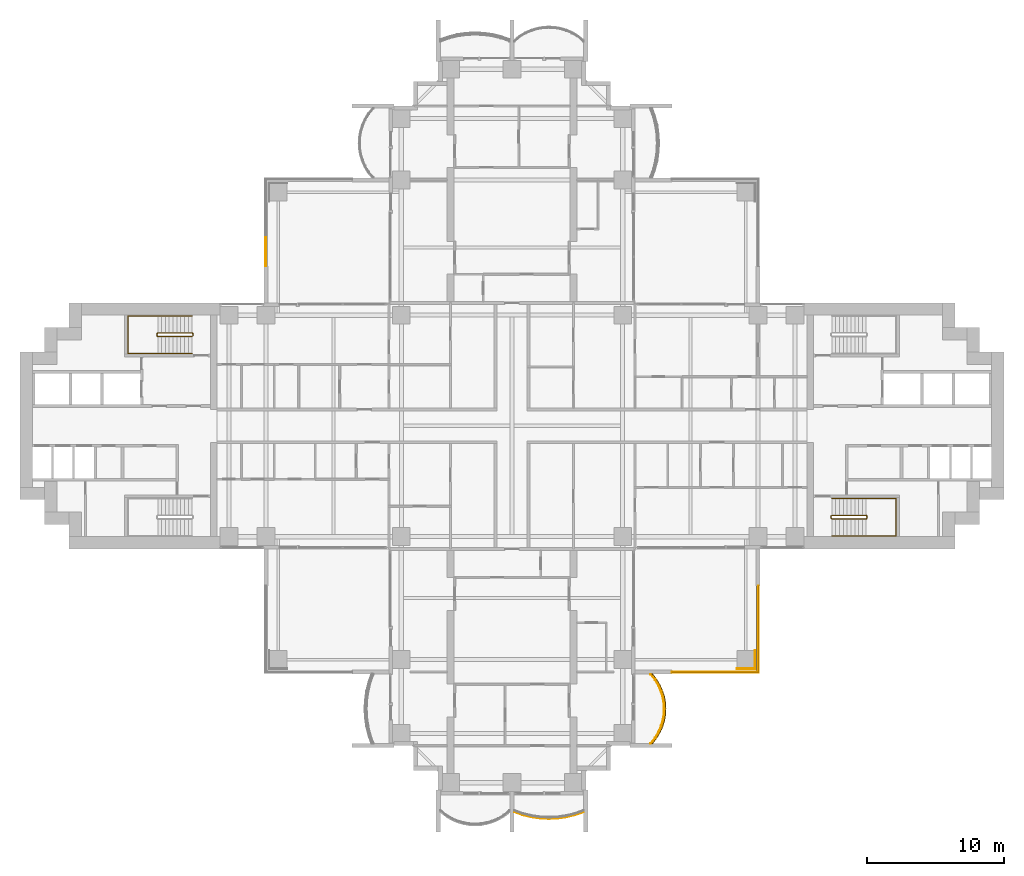
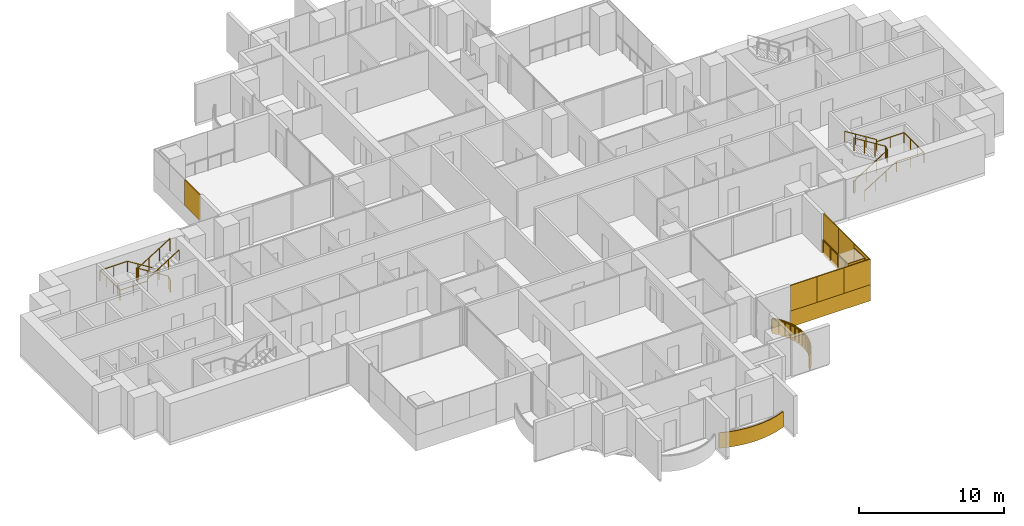
# One storey, part 18 of 20: 12 coverings, 6 railings.
"""IFC4 building model written with IfcOpenShell, lengths in metres."""

import ifcopenshell
import ifcopenshell.guid

model = None  # the IFC model being written
_history = None  # IfcOwnerHistory: only IFC2X3 demands one
_inside = {}  # id of a spatial element -> (the spatial element, [elements in it])
_under = {}  # id of a project, library or spatial element -> (it, [spatial elements below it])
_declared = {}  # id of a project -> (the project, [libraries it declares])
_typed = {}  # id of a type object -> (the type object, [elements of that type])
_made_of = {}  # id of a material, layer set ... -> (it, [elements and type objects made of it])


def new_model(schema):
    """Start an empty IFC model of exactly this schema.

    Asked for "IFC4X3", IfcOpenShell would pick the latest addendum, in which some entities
    have other attributes; the version numbers below select the first issue.
    IFC2X3 requires an IfcOwnerHistory on every rooted entity: one is made here for all.
    """
    global model, _history
    if schema == "IFC4X3":
        model = ifcopenshell.file(schema_version=(4, 3, 0, 0))
    else:
        model = ifcopenshell.file(schema=schema)
    _inside.clear()
    _under.clear()
    _declared.clear()
    _typed.clear()
    _made_of.clear()
    _history = None
    if model.schema == "IFC2X3":
        org = make("IfcOrganization", Name="unknown")
        user = make(
            "IfcPersonAndOrganization",
            ThePerson=make("IfcPerson", FamilyName="unknown"),
            TheOrganization=org,
        )
        app = make(
            "IfcApplication",
            ApplicationDeveloper=org,
            Version="unknown",
            ApplicationFullName="unknown",
            ApplicationIdentifier="unknown",
        )
        _history = make(
            "IfcOwnerHistory",
            OwningUser=user,
            OwningApplication=app,
            ChangeAction="ADDED",
            CreationDate=0,
        )
    return model


def make(cls, **values):
    """One entity of the class cls with the attributes given. An attribute that is None is left unset."""
    return model.create_entity(
        cls, **{name: value for name, value in values.items() if value is not None}
    )


def rooted(cls, **values):
    """An entity with a GlobalId (a new one), such as an element, a storey or a relation."""
    return make(cls, GlobalId=ifcopenshell.guid.new(), OwnerHistory=_history, **values)


def si_unit(unit_type, name, prefix=None):
    """IfcSIUnit, for example si_unit("LENGTHUNIT", "METRE", prefix="MILLI")."""
    return make("IfcSIUnit", UnitType=unit_type, Prefix=prefix, Name=name)


def assignment(units):
    """IfcUnitAssignment: the units of a project."""
    return None if units is None else make("IfcUnitAssignment", Units=units)


def point(xyz):
    """IfcCartesianPoint."""
    return None if xyz is None else make("IfcCartesianPoint", Coordinates=xyz)


def direction(xyz):
    """IfcDirection."""
    return None if xyz is None else make("IfcDirection", DirectionRatios=xyz)


def frame(location, z_axis=None, x_axis=None):
    """IfcAxis2Placement3D, a coordinate frame: its origin and axes. An axis left out is left unset."""
    return make(
        "IfcAxis2Placement3D",
        Location=point(location),
        Axis=direction(z_axis),
        RefDirection=direction(x_axis),
    )


def frame_2d(location, x_axis=None):
    """IfcAxis2Placement2D, a coordinate frame in the plane: its origin and x axis."""
    return make(
        "IfcAxis2Placement2D", Location=point(location), RefDirection=direction(x_axis)
    )


def origin():
    """The frame at (0, 0, 0) with its axes left unset."""
    return frame((0.0, 0.0, 0.0))


def origin_2d():
    """The frame at (0, 0) in the plane with its x axis left unset."""
    return frame_2d((0.0, 0.0))


def place(relative_to, where):
    """IfcLocalPlacement: puts the frame where relative to a parent placement (None: the world)."""
    return make(
        "IfcLocalPlacement", PlacementRelTo=relative_to, RelativePlacement=where
    )


def context(
    kind, dimensions, precision=None, world=None, true_north=None, identifier=None
):
    """IfcGeometricRepresentationContext, for example the 3D "Model" context."""
    return make(
        "IfcGeometricRepresentationContext",
        ContextIdentifier=identifier,
        ContextType=kind,
        CoordinateSpaceDimension=dimensions,
        Precision=precision,
        WorldCoordinateSystem=world,
        TrueNorth=true_north,
    )


def subcontext(parent, identifier, kind, view, scale=None):
    """IfcGeometricRepresentationSubContext, for example "Body" below "Model"."""
    return make(
        "IfcGeometricRepresentationSubContext",
        ContextIdentifier=identifier,
        ContextType=kind,
        ParentContext=parent,
        TargetScale=scale,
        TargetView=view,
    )


def project(units=None, contexts=None):
    """IfcProject with its units and contexts."""
    return rooted(
        "IfcProject",
        Name="project",
        RepresentationContexts=contexts,
        UnitsInContext=assignment(units),
    )


def spatial(cls, under=None, at=None, **own):
    """A site, building, storey or space (cls), placed at a placement, below another one or the project."""
    s = rooted(cls, ObjectPlacement=at, **own)
    if under is not None:
        _under.setdefault(under.id(), (under, []))[1].append(s)
    return s


def polyline(points):
    """IfcPolyline through the points."""
    return make("IfcPolyline", Points=[point(p) for p in points])


def profile(cls, at=None, kind="AREA", **sizes):
    """A parametric profile (cls). Its sizes go by their IFC names, for example OverallWidth=200.0."""
    return make(cls, ProfileType=kind, Position=at, **sizes)


def rectangle(**sizes):
    """IfcRectangleProfileDef."""
    return profile("IfcRectangleProfileDef", **sizes)


def outline(outer, holes=None, kind="AREA"):
    """IfcArbitraryClosedProfileDef: a profile drawn as a closed curve; with holes, ...WithVoids."""
    if holes is None:
        return make("IfcArbitraryClosedProfileDef", ProfileType=kind, OuterCurve=outer)
    return make(
        "IfcArbitraryProfileDefWithVoids",
        ProfileType=kind,
        OuterCurve=outer,
        InnerCurves=holes,
    )


def extrude(swept, where, along, depth):
    """IfcExtrudedAreaSolid: the profile swept, set in the frame where, extruded along a direction by depth."""
    return make(
        "IfcExtrudedAreaSolid",
        SweptArea=swept,
        Position=where,
        ExtrudedDirection=direction(along),
        Depth=depth,
    )


def shape(context_of_items, identifier, shape_type, items):
    """IfcShapeRepresentation: the items that make up one representation, for example the "Body"."""
    return make(
        "IfcShapeRepresentation",
        ContextOfItems=context_of_items,
        RepresentationIdentifier=identifier,
        RepresentationType=shape_type,
        Items=items,
    )


def material(Name=None, Category=None):
    """IfcMaterial."""
    return make("IfcMaterial", Name=Name, Category=Category)


def layer(
    of_material, thickness, ventilated=None, Name=None, Category=None, Priority=None
):
    """IfcMaterialLayer: one layer of a wall or slab, of a material (None: an air gap)."""
    return make(
        "IfcMaterialLayer",
        Material=of_material,
        LayerThickness=thickness,
        IsVentilated=ventilated,
        Name=Name,
        Category=Category,
        Priority=Priority,
    )


def layer_set(layers, Name=None):
    """IfcMaterialLayerSet."""
    return make("IfcMaterialLayerSet", MaterialLayers=layers, LayerSetName=Name)


def made_of(thing, what):
    """Note that an element or type object is made of a material, layer set ...; save() writes the relation."""
    if what is not None:
        _made_of.setdefault(what.id(), (what, []))[1].append(thing)
    return thing


def type_object(cls, material=None, **own):
    """A type object (cls), such as IfcWallType, which elements share."""
    return made_of(rooted(cls, **own), material)


def element(
    cls,
    number,
    at=None,
    inside=None,
    cuts=None,
    type_object=None,
    material=None,
    context=None,
    identifier="Body",
    shape_type=None,
    held_by="IfcProductDefinitionShape",
    body=None,
    shapes=None,
    **own,
):
    """One element of the class cls, such as IfcWall. Its Tag is "e" and its number.

    at: its placement. inside: the storey or other place that contains it. cuts: it is an
    opening in that element (IfcRelVoidsElement). A single representation is given by context,
    identifier, shape_type and body (its items); several are given by shapes. held_by: the class
    of the entity that holds the representations. save() writes the other relations.
    """
    e = rooted(cls, Tag="e%d" % number, ObjectPlacement=at, **own)
    if body is not None:
        shapes = [shape(context, identifier, shape_type, body)]
    if shapes is not None:
        e.Representation = make(held_by, Representations=shapes)
    if inside is not None:
        _inside.setdefault(inside.id(), (inside, []))[1].append(e)
    if cuts is not None:
        rooted(
            "IfcRelVoidsElement", RelatingBuildingElement=cuts, RelatedOpeningElement=e
        )
    if type_object is not None:
        _typed.setdefault(type_object.id(), (type_object, []))[1].append(e)
    return made_of(e, material)


def aggregate(whole, parts):
    """IfcRelAggregates: a whole, such as a stair, and the parts it consists of."""
    return rooted("IfcRelAggregates", RelatingObject=whole, RelatedObjects=parts)


def save(model, path):
    """Write the relations noted so far, then the file.

    IfcRelAggregates (storeys below a building ...), IfcRelContainedInSpatialStructure (elements
    in a storey), IfcRelDefinesByType, IfcRelAssociatesMaterial and IfcRelDeclares: one each for
    every whole, place, type object, material and project.
    """
    for whole, parts in _under.values():
        aggregate(whole, parts)
    for where, things in _inside.values():
        rooted(
            "IfcRelContainedInSpatialStructure",
            RelatedElements=things,
            RelatingStructure=where,
        )
    for kind, things in _typed.values():
        rooted("IfcRelDefinesByType", RelatedObjects=things, RelatingType=kind)
    for what, things in _made_of.values():
        rooted("IfcRelAssociatesMaterial", RelatedObjects=things, RelatingMaterial=what)
    for by, libraries in _declared.values():
        rooted("IfcRelDeclares", RelatingContext=by, RelatedDefinitions=libraries)
    model.write(path)


model = new_model("IFC4")

# Units and contexts
model_context = context("Model", 3, precision=1e-05, world=origin(), true_north=direction((0.0, 1.0)))
body_context = subcontext(model_context, "Body", "Model", "MODEL_VIEW")
ifc_project = project(units=[si_unit("LENGTHUNIT", "METRE"), si_unit("AREAUNIT", "SQUARE_METRE"), si_unit("VOLUMEUNIT", "CUBIC_METRE"), si_unit("PLANEANGLEUNIT", "RADIAN"), si_unit("MASSUNIT", "GRAM", prefix="KILO")], contexts=[model_context])

# Site, building, storey
site_placement = place(None, origin())
site = spatial("IfcSite", under=ifc_project, at=site_placement, CompositionType="ELEMENT")
building_placement = place(site_placement, origin())
building = spatial("IfcBuilding", under=site, at=building_placement, Name="Perihelion Cross Residences", CompositionType="ELEMENT")
storey_placement = place(building_placement, frame((0.0, 0.0, 71.5)))
storey = spatial("IfcBuildingStorey", under=building, at=storey_placement, Name="L15", CompositionType="ELEMENT", Elevation=71.5)

# Coverings
ifc_material_1 = material(Name="Bronze anodised aluminium", Category="aluminium")
ifc_layer_1 = layer(ifc_material_1, 0.070068359375)
ifc_layer_set_1 = layer_set([ifc_layer_1], Name="Balcony fascia 1300")
covering_type_1 = type_object("IfcCoveringType", Name="Balcony fascia 1300", PredefinedType="CLADDING", material=ifc_layer_set_1)
covering_1_placement = place(storey_placement, frame((0.0, 0.0, -0.199951171875)))
element("IfcCovering", 1, at=covering_1_placement, inside=storey, type_object=covering_type_1, Name="Fascia BF1 L15 south tip south bay 2", PredefinedType="CLADDING", context=body_context, shape_type="SweptSolid", body=[
    extrude(outline(polyline([(0.767578125, -28.49072265625), (1.411865234375, -28.647216796875), (2.055908203125, -28.739501953125), (2.699951171875, -28.77001953125), (3.34423828125, -28.739501953125), (3.98828125, -28.647216796875), (4.63232421875, -28.49072265625), (5.25, -28.274169921875), (5.25, -28.199951171875), (4.612548828125, -28.423583984375), (3.97509765625, -28.57861328125), (3.33740234375, -28.669921875), (2.699951171875, -28.699951171875), (2.0625, -28.669921875), (1.425048828125, -28.57861328125), (0.78759765625, -28.423583984375), (0.14990234375, -28.199951171875), (0.14990234375, -28.274169921875), (0.767578125, -28.49072265625)])), origin(), (0.0, 0.0, 1.0), 1.300048828125),
])
covering_2_placement = place(storey_placement, frame((0.0, 0.0, -0.199951171875)))
element("IfcCovering", 2, at=covering_2_placement, inside=storey, type_object=covering_type_1, Name="Fascia BF1 L15 south side east bay 1", PredefinedType="CLADDING", context=body_context, shape_type="SweptSolid", body=[
    extrude(outline(polyline([(10.59765625, -22.86474609375), (10.85498046875, -22.431884765625), (11.04248046875, -21.998779296875), (11.170654296875, -21.56591796875), (11.245361328125, -21.133056640625), (11.27001953125, -20.699951171875), (11.245361328125, -20.26708984375), (11.170654296875, -19.833984375), (11.04248046875, -19.401123046875), (10.85498046875, -18.96826171875), (10.59765625, -18.53515625), (10.28955078125, -18.14990234375), (10.199951171875, -18.14990234375), (10.5400390625, -18.574951171875), (10.792724609375, -19.0), (10.9765625, -19.425048828125), (11.1025390625, -19.85009765625), (11.17578125, -20.27490234375), (11.199951171875, -20.699951171875), (11.17578125, -21.125), (11.1025390625, -21.550048828125), (10.9765625, -21.97509765625), (10.792724609375, -22.39990234375), (10.5400390625, -22.824951171875), (10.199951171875, -23.25), (10.28955078125, -23.25), (10.59765625, -22.86474609375)])), origin(), (0.0, 0.0, 1.0), 1.300048828125),
])

# Railings
ifc_material_2 = material(Name="Bronze anodised aluminium", Category="aluminium")
railing_type_1 = type_object("IfcRailingType", Name="Balcony guard 1100", PredefinedType="GUARDRAIL", material=ifc_material_2)
railing_1_placement = place(storey_placement, frame((10.139892578125, -23.22509765625, 0.0)))
element("IfcRailing", 3, at=railing_1_placement, inside=storey, type_object=railing_type_1, Name="Guard GU1 L15 south side east bay 1 balcony", PredefinedType="GUARDRAIL", context=body_context, shape_type="SweptSolid", body=[
    extrude(rectangle(XDim=0.048095703125, YDim=0.048095703125, at=origin_2d()), frame((0.0, 0.0, 1.076171875), z_axis=(0.647607934281, 0.761973728849, 0.0), x_axis=(-0.761973728849, 0.647607934281, 0.0)), (0.0, 0.0, 1.0), 0.525146484375),
    extrude(rectangle(XDim=0.048095703125, YDim=0.048095703125, at=origin_2d()), frame((0.340087890625, 0.400146484375, 1.076171875), z_axis=(0.511006381501, 0.859576918062, 0.0), x_axis=(-0.859576918062, 0.511006381501, 0.0)), (0.0, 0.0, 1.0), 0.494384765625),
    extrude(rectangle(XDim=0.048095703125, YDim=0.048095703125, at=origin_2d()), frame((0.5927734375, 0.8251953125, 1.076171875), z_axis=(0.397607437634, 0.91755562531, 0.0), x_axis=(-0.91755562531, 0.397607437634, 0.0)), (0.0, 0.0, 1.0), 0.462890625),
    extrude(rectangle(XDim=0.048095703125, YDim=0.048095703125, at=origin_2d()), frame((0.77685546875, 1.25, 1.076171875), z_axis=(0.283656975924, 0.958925815697, 0.0), x_axis=(-0.958925815697, 0.283656975924, 0.0)), (0.0, 0.0, 1.0), 0.443359375),
    extrude(rectangle(XDim=0.048095703125, YDim=0.048095703125, at=origin_2d()), frame((0.902587890625, 1.675048828125, 1.076171875), z_axis=(0.17036177859, 0.985381583142, 0.0), x_axis=(-0.985381583142, 0.17036177859, 0.0)), (0.0, 0.0, 1.0), 0.431396484375),
    extrude(rectangle(XDim=0.048095703125, YDim=0.048095703125, at=origin_2d()), frame((0.97607421875, 2.10009765625, 1.076171875), z_axis=(0.056200523353, 0.9984195016, 0.0), x_axis=(-0.9984195016, 0.056200523353, 0.0)), (0.0, 0.0, 1.0), 0.42578125),
    extrude(rectangle(XDim=0.048095703125, YDim=0.048095703125, at=origin_2d()), frame((1.0, 2.525146484375, 1.076171875), z_axis=(-0.056200523353, 0.9984195016, 0.0), x_axis=(-0.9984195016, -0.056200523353, 0.0)), (0.0, 0.0, 1.0), 0.42578125),
    extrude(rectangle(XDim=0.048095703125, YDim=0.048095703125, at=origin_2d()), frame((0.97607421875, 2.9501953125, 1.076171875), z_axis=(-0.170456843651, 0.985365142702, 0.0), x_axis=(-0.985365142702, -0.170456843651, 0.0)), (0.0, 0.0, 1.0), 0.43115234375),
    extrude(rectangle(XDim=0.048095703125, YDim=0.048095703125, at=origin_2d()), frame((0.902587890625, 3.375, 1.076171875), z_axis=(-0.283656975924, 0.958925815697, 0.0), x_axis=(-0.958925815697, -0.283656975924, 0.0)), (0.0, 0.0, 1.0), 0.443359375),
    extrude(rectangle(XDim=0.048095703125, YDim=0.048095703125, at=origin_2d()), frame((0.77685546875, 3.800048828125, 1.076171875), z_axis=(-0.397415137459, 0.917638931453, 0.0), x_axis=(-0.917638931453, -0.397415137459, 0.0)), (0.0, 0.0, 1.0), 0.463134765625),
    extrude(rectangle(XDim=0.048095703125, YDim=0.048095703125, at=origin_2d()), frame((0.5927734375, 4.22509765625, 1.076171875), z_axis=(-0.511006381501, 0.859576918062, 0.0), x_axis=(-0.859576918062, -0.511006381501, 0.0)), (0.0, 0.0, 1.0), 0.494384765625),
    extrude(rectangle(XDim=0.048095703125, YDim=0.048095703125, at=origin_2d()), frame((0.340087890625, 4.650146484375, 1.076171875), z_axis=(-0.647837396648, 0.761778647315, 0.0), x_axis=(-0.761778647315, -0.647837396648, 0.0)), (0.0, 0.0, 1.0), 0.52490234375),
    extrude(rectangle(XDim=0.0419921875, YDim=0.0419921875, at=origin_2d()), origin(), (0.0, 0.0, 1.0), 1.052001953125),
    extrude(rectangle(XDim=0.0419921875, YDim=0.0419921875, at=origin_2d()), frame((0.340087890625, 0.400146484375, 0.0)), (0.0, 0.0, 1.0), 1.052001953125),
    extrude(rectangle(XDim=0.0419921875, YDim=0.0419921875, at=origin_2d()), frame((0.5927734375, 0.8251953125, 0.0)), (0.0, 0.0, 1.0), 1.052001953125),
    extrude(rectangle(XDim=0.0419921875, YDim=0.0419921875, at=origin_2d()), frame((0.77685546875, 1.25, 0.0)), (0.0, 0.0, 1.0), 1.052001953125),
    extrude(rectangle(XDim=0.0419921875, YDim=0.0419921875, at=origin_2d()), frame((0.902587890625, 1.675048828125, 0.0)), (0.0, 0.0, 1.0), 1.052001953125),
    extrude(rectangle(XDim=0.0419921875, YDim=0.0419921875, at=origin_2d()), frame((0.97607421875, 2.10009765625, 0.0)), (0.0, 0.0, 1.0), 1.052001953125),
    extrude(rectangle(XDim=0.0419921875, YDim=0.0419921875, at=origin_2d()), frame((1.0, 2.525146484375, 0.0)), (0.0, 0.0, 1.0), 1.052001953125),
    extrude(rectangle(XDim=0.0419921875, YDim=0.0419921875, at=origin_2d()), frame((0.97607421875, 2.9501953125, 0.0)), (0.0, 0.0, 1.0), 1.052001953125),
    extrude(rectangle(XDim=0.0419921875, YDim=0.0419921875, at=origin_2d()), frame((0.902587890625, 3.375, 0.0)), (0.0, 0.0, 1.0), 1.052001953125),
    extrude(rectangle(XDim=0.0419921875, YDim=0.0419921875, at=origin_2d()), frame((0.77685546875, 3.800048828125, 0.0)), (0.0, 0.0, 1.0), 1.052001953125),
    extrude(rectangle(XDim=0.0419921875, YDim=0.0419921875, at=origin_2d()), frame((0.5927734375, 4.22509765625, 0.0)), (0.0, 0.0, 1.0), 1.052001953125),
    extrude(rectangle(XDim=0.0419921875, YDim=0.0419921875, at=origin_2d()), frame((0.340087890625, 4.650146484375, 0.0)), (0.0, 0.0, 1.0), 1.052001953125),
    extrude(rectangle(XDim=0.0419921875, YDim=0.0419921875, at=origin_2d()), frame((0.0, 5.050048828125, 0.0)), (0.0, 0.0, 1.0), 1.052001953125),
])
railing_2_placement = place(storey_placement, frame((17.93994140625, -11.739990234375, 0.0)))
element("IfcRailing", 4, at=railing_2_placement, inside=storey, type_object=railing_type_1, Name="Guard GU1 L15 pocket south-east 1", PredefinedType="GUARDRAIL", context=body_context, shape_type="SweptSolid", body=[
    extrude(rectangle(XDim=0.048095703125, YDim=0.048095703125, at=origin_2d()), frame((0.0, 0.0, 1.076171875), z_axis=(0.0, -1.0, 0.0), x_axis=(1.0, 0.0, 0.0)), (0.0, 0.0, 1.0), 6.199951171875),
    extrude(rectangle(XDim=0.048095703125, YDim=0.048095703125, at=origin_2d()), frame((0.0, -6.199951171875, 1.076171875), z_axis=(-1.0, 0.0, 0.0), x_axis=(0.0, -1.0, 0.0)), (0.0, 0.0, 1.0), 6.199951171875),
    extrude(rectangle(XDim=0.0419921875, YDim=0.0419921875, at=origin_2d()), origin(), (0.0, 0.0, 1.0), 1.052001953125),
    extrude(rectangle(XDim=0.0419921875, YDim=0.0419921875, at=origin_2d()), frame((0.0, -1.033203125, 0.0)), (0.0, 0.0, 1.0), 1.052001953125),
    extrude(rectangle(XDim=0.0419921875, YDim=0.0419921875, at=origin_2d()), frame((0.0, -2.066650390625, 0.0)), (0.0, 0.0, 1.0), 1.052001953125),
    extrude(rectangle(XDim=0.0419921875, YDim=0.0419921875, at=origin_2d()), frame((0.0, -3.10009765625, 0.0)), (0.0, 0.0, 1.0), 1.052001953125),
    extrude(rectangle(XDim=0.0419921875, YDim=0.0419921875, at=origin_2d()), frame((0.0, -4.13330078125, 0.0)), (0.0, 0.0, 1.0), 1.052001953125),
    extrude(rectangle(XDim=0.0419921875, YDim=0.0419921875, at=origin_2d()), frame((0.0, -5.16650390625, 0.0)), (0.0, 0.0, 1.0), 1.052001953125),
    extrude(rectangle(XDim=0.0419921875, YDim=0.0419921875, at=origin_2d()), frame((0.0, -6.199951171875, 0.0)), (0.0, 0.0, 1.0), 1.052001953125),
    extrude(rectangle(XDim=0.0419921875, YDim=0.0419921875, at=origin_2d()), frame((-1.033203125, -6.199951171875, 0.0)), (0.0, 0.0, 1.0), 1.052001953125),
    extrude(rectangle(XDim=0.0419921875, YDim=0.0419921875, at=origin_2d()), frame((-2.066650390625, -6.199951171875, 0.0)), (0.0, 0.0, 1.0), 1.052001953125),
    extrude(rectangle(XDim=0.0419921875, YDim=0.0419921875, at=origin_2d()), frame((-3.10009765625, -6.199951171875, 0.0)), (0.0, 0.0, 1.0), 1.052001953125),
    extrude(rectangle(XDim=0.0419921875, YDim=0.0419921875, at=origin_2d()), frame((-4.13330078125, -6.199951171875, 0.0)), (0.0, 0.0, 1.0), 1.052001953125),
    extrude(rectangle(XDim=0.0419921875, YDim=0.0419921875, at=origin_2d()), frame((-5.16650390625, -6.199951171875, 0.0)), (0.0, 0.0, 1.0), 1.052001953125),
    extrude(rectangle(XDim=0.0419921875, YDim=0.0419921875, at=origin_2d()), frame((-6.199951171875, -6.199951171875, 0.0)), (0.0, 0.0, 1.0), 1.052001953125),
])

# Coverings
ifc_material_3 = material(Name="Bronze anodised aluminium", Category="aluminium")
ifc_layer_2 = layer(ifc_material_3, 0.0400390625)
ifc_layer_set_2 = layer_set([ifc_layer_2], Name="Bronze column casing 40")
covering_type_2 = type_object("IfcCoveringType", Name="Bronze column casing 40", PredefinedType="CLADDING", material=ifc_layer_set_2)
covering_3_placement = place(storey_placement, frame((17.77001953125, -17.10009765625, -0.25), z_axis=(0.0, 0.0, 1.0), x_axis=(1.0, 0.0, 0.0)))
element("IfcCovering", 5, at=covering_3_placement, inside=storey, type_object=covering_type_2, Name="Cladding CC1 L15 casing east-west no. 3", PredefinedType="CLADDING", context=body_context, shape_type="SweptSolid", body=[
    extrude(rectangle(XDim=0.0400390625, YDim=1.3798828125, at=origin_2d()), origin(), (0.0, 0.0, 1.0), 3.5),
])
covering_4_placement = place(storey_placement, frame((17.10009765625, -17.77001953125, -0.25), z_axis=(0.0, 0.0, 1.0), x_axis=(1.0, 0.0, 0.0)))
element("IfcCovering", 6, at=covering_4_placement, inside=storey, type_object=covering_type_2, Name="Cladding CC1 L15 casing north-south no. 3", PredefinedType="CLADDING", context=body_context, shape_type="SweptSolid", body=[
    extrude(rectangle(XDim=1.300048828125, YDim=0.0400390625, at=origin_2d()), origin(), (0.0, 0.0, 1.0), 3.5),
])
ifc_material_4 = material(Name="Bronze anodised aluminium", Category="aluminium")
ifc_layer_3 = layer(ifc_material_4, 0.070068359375)
ifc_layer_set_3 = layer_set([ifc_layer_3], Name="Pocket fascia 1350")
covering_type_3 = type_object("IfcCoveringType", Name="Pocket fascia 1350", PredefinedType="CLADDING", material=ifc_layer_set_3)
covering_5_placement = place(storey_placement, frame((0.0, 0.0, -0.25)))
element("IfcCovering", 7, at=covering_5_placement, inside=storey, type_object=covering_type_3, Name="Fascia BF2 L15 pocket south-east 3", PredefinedType="CLADDING", context=body_context, shape_type="SweptSolid", body=[
    extrude(outline(polyline([(18.070068359375, -18.070068359375), (18.070068359375, -11.699951171875), (18.0, -11.699951171875), (18.0, -18.0), (11.699951171875, -18.0), (11.699951171875, -18.070068359375), (18.070068359375, -18.070068359375)])), origin(), (0.0, 0.0, 1.0), 1.35009765625),
])
ifc_material_5 = material(Name="Bronze perforated aluminium", Category="aluminium")
ifc_layer_4 = layer(ifc_material_5, 0.070068359375)
ifc_layer_set_4 = layer_set([ifc_layer_4], Name="Pocket solar screen, bronze perforated")
covering_type_4 = type_object("IfcCoveringType", Name="Pocket solar screen, bronze perforated", PredefinedType="CLADDING", material=ifc_layer_set_4)
covering_6_placement = place(storey_placement, frame((0.0, 0.0, 1.10009765625)))
element("IfcCovering", 8, at=covering_6_placement, inside=storey, type_object=covering_type_4, Name="Solar screen PS1 L15 pocket north-west no. 1", PredefinedType="CLADDING", context=body_context, shape_type="SweptSolid", body=[
    extrude(outline(polyline([(-18.0, 11.699951171875), (-18.0, 13.800048828125), (-18.070068359375, 13.800048828125), (-18.070068359375, 11.699951171875), (-18.0, 11.699951171875)])), origin(), (0.0, 0.0, 1.0), 2.14990234375),
])
covering_7_placement = place(storey_placement, frame((0.0, 0.0, 1.10009765625)))
element("IfcCovering", 9, at=covering_7_placement, inside=storey, type_object=covering_type_4, Name="Solar screen PS1 L15 pocket south-east no. 1", PredefinedType="CLADDING", context=body_context, shape_type="SweptSolid", body=[
    extrude(outline(polyline([(18.070068359375, -18.0), (18.070068359375, -15.89990234375), (18.0, -15.89990234375), (18.0, -18.0), (18.070068359375, -18.0)])), origin(), (0.0, 0.0, 1.0), 2.14990234375),
])
covering_8_placement = place(storey_placement, frame((0.0, 0.0, 1.10009765625)))
element("IfcCovering", 10, at=covering_8_placement, inside=storey, type_object=covering_type_4, Name="Solar screen PS1 L15 pocket south-east no. 2", PredefinedType="CLADDING", context=body_context, shape_type="SweptSolid", body=[
    extrude(outline(polyline([(18.070068359375, -15.89990234375), (18.070068359375, -13.800048828125), (18.0, -13.800048828125), (18.0, -15.89990234375), (18.070068359375, -15.89990234375)])), origin(), (0.0, 0.0, 1.0), 2.14990234375),
])
covering_9_placement = place(storey_placement, frame((0.0, 0.0, 1.10009765625)))
element("IfcCovering", 11, at=covering_9_placement, inside=storey, type_object=covering_type_4, Name="Solar screen PS1 L15 pocket south-east no. 3", PredefinedType="CLADDING", context=body_context, shape_type="SweptSolid", body=[
    extrude(outline(polyline([(18.070068359375, -13.800048828125), (18.070068359375, -11.699951171875), (18.0, -11.699951171875), (18.0, -13.800048828125), (18.070068359375, -13.800048828125)])), origin(), (0.0, 0.0, 1.0), 2.14990234375),
])
covering_10_placement = place(storey_placement, frame((0.0, 0.0, 1.10009765625)))
element("IfcCovering", 12, at=covering_10_placement, inside=storey, type_object=covering_type_4, Name="Solar screen PS1 L15 pocket south-east no. 4", PredefinedType="CLADDING", context=body_context, shape_type="SweptSolid", body=[
    extrude(outline(polyline([(13.8232421875, -18.070068359375), (13.8232421875, -18.0), (11.699951171875, -18.0), (11.699951171875, -18.070068359375), (13.8232421875, -18.070068359375)])), origin(), (0.0, 0.0, 1.0), 2.14990234375),
])
covering_11_placement = place(storey_placement, frame((0.0, 0.0, 1.10009765625)))
element("IfcCovering", 13, at=covering_11_placement, inside=storey, type_object=covering_type_4, Name="Solar screen PS1 L15 pocket south-east no. 5", PredefinedType="CLADDING", context=body_context, shape_type="SweptSolid", body=[
    extrude(outline(polyline([(15.94677734375, -18.070068359375), (15.94677734375, -18.0), (13.8232421875, -18.0), (13.8232421875, -18.070068359375), (15.94677734375, -18.070068359375)])), origin(), (0.0, 0.0, 1.0), 2.14990234375),
])
covering_12_placement = place(storey_placement, frame((0.0, 0.0, 1.10009765625)))
element("IfcCovering", 14, at=covering_12_placement, inside=storey, type_object=covering_type_4, Name="Solar screen PS1 L15 pocket south-east no. 6", PredefinedType="CLADDING", context=body_context, shape_type="SweptSolid", body=[
    extrude(outline(polyline([(18.070068359375, -18.070068359375), (18.070068359375, -18.0), (15.94677734375, -18.0), (15.94677734375, -18.070068359375), (18.070068359375, -18.070068359375)])), origin(), (0.0, 0.0, 1.0), 2.14990234375),
])

# Railings
ifc_material_6 = material(Name="Stainless steel", Category="steel")
railing_type_2 = type_object("IfcRailingType", Name="Stair guard 1100", PredefinedType="GUARDRAIL", material=ifc_material_6)
railing_3_placement = place(storey_placement, frame((23.35009765625, -6.60009765625, 0.0)))
element("IfcRailing", 15, at=railing_3_placement, inside=storey, type_object=railing_type_2, Name="L15 ST-E2 stair guard 1", PredefinedType="GUARDRAIL", context=body_context, shape_type="SweptSolid", body=[
    extrude(rectangle(XDim=0.048095703125, YDim=0.048095703125, at=origin_2d()), frame((0.0, 0.0, 1.076171875), z_axis=(0.0, -1.0, 0.0), x_axis=(1.0, 0.0, 0.0)), (0.0, 0.0, 1.0), 0.14990234375),
    extrude(rectangle(XDim=0.048095703125, YDim=0.048095703125, at=origin_2d()), frame((0.0, -0.14990234375, 1.076171875), z_axis=(0.263862480399, -0.265155923931, 0.927399011991), x_axis=(0.708833529934, 0.705375805398, 0.0)), (0.0, 0.0, 1.0), 0.188720703125),
    extrude(rectangle(XDim=0.048095703125, YDim=0.048095703125, at=origin_2d()), frame((0.0498046875, -0.199951171875, 1.2509765625), z_axis=(0.848007534815, 0.0, 0.529984170421), x_axis=(0.0, 1.0, 0.0)), (0.0, 0.0, 1.0), 2.9716796875),
    extrude(rectangle(XDim=0.048095703125, YDim=0.048095703125, at=origin_2d()), frame((2.56982421875, -0.199951171875, 2.826171875), z_axis=(0.707106781187, 0.707106781187, 0.0), x_axis=(-0.707106781187, 0.707106781187, 0.0)), (0.0, 0.0, 1.0), 0.07080078125),
    extrude(rectangle(XDim=0.048095703125, YDim=0.048095703125, at=origin_2d()), frame((2.619873046875, -0.14990234375, 2.826171875), z_axis=(0.0, 1.0, 0.0), x_axis=(-1.0, 0.0, 0.0)), (0.0, 0.0, 1.0), 0.14990234375),
    extrude(rectangle(XDim=0.048095703125, YDim=0.048095703125, at=origin_2d()), frame((2.619873046875, 0.0, 2.826171875), z_axis=(-0.265065253269, 0.265065253269, 0.927081885822), x_axis=(-0.707106781187, -0.707106781187, 0.0)), (0.0, 0.0, 1.0), 0.188720703125),
    extrude(rectangle(XDim=0.048095703125, YDim=0.048095703125, at=origin_2d()), frame((2.56982421875, 0.050048828125, 3.0009765625), z_axis=(-0.848007534815, 0.0, 0.529984170421), x_axis=(0.0, -1.0, 0.0)), (0.0, 0.0, 1.0), 2.9716796875),
    extrude(rectangle(XDim=0.0419921875, YDim=0.0419921875, at=origin_2d()), origin(), (0.0, 0.0, 1.0), 1.052001953125),
    extrude(rectangle(XDim=0.0419921875, YDim=0.0419921875, at=origin_2d()), frame((0.0, -0.14990234375, 0.0)), (0.0, 0.0, 1.0), 1.052001953125),
    extrude(rectangle(XDim=0.0419921875, YDim=0.0419921875, at=origin_2d()), frame((0.0498046875, -0.199951171875, 0.175048828125)), (0.0, 0.0, 1.0), 1.052001953125),
    extrude(rectangle(XDim=0.0419921875, YDim=0.0419921875, at=origin_2d()), frame((0.889892578125, -0.199951171875, 0.699951171875)), (0.0, 0.0, 1.0), 1.052001953125),
    extrude(rectangle(XDim=0.0419921875, YDim=0.0419921875, at=origin_2d()), frame((1.729736328125, -0.199951171875, 1.22509765625)), (0.0, 0.0, 1.0), 1.052001953125),
    extrude(rectangle(XDim=0.0419921875, YDim=0.0419921875, at=origin_2d()), frame((2.56982421875, -0.199951171875, 1.75)), (0.0, 0.0, 1.0), 1.052001953125),
    extrude(rectangle(XDim=0.0419921875, YDim=0.0419921875, at=origin_2d()), frame((2.619873046875, -0.14990234375, 1.75)), (0.0, 0.0, 1.0), 1.052001953125),
    extrude(rectangle(XDim=0.0419921875, YDim=0.0419921875, at=origin_2d()), frame((2.619873046875, 0.0, 1.75)), (0.0, 0.0, 1.0), 1.052001953125),
    extrude(rectangle(XDim=0.0419921875, YDim=0.0419921875, at=origin_2d()), frame((2.56982421875, 0.050048828125, 1.925048828125)), (0.0, 0.0, 1.0), 1.052001953125),
    extrude(rectangle(XDim=0.0419921875, YDim=0.0419921875, at=origin_2d()), frame((1.729736328125, 0.050048828125, 2.449951171875)), (0.0, 0.0, 1.0), 1.052001953125),
    extrude(rectangle(XDim=0.0419921875, YDim=0.0419921875, at=origin_2d()), frame((0.889892578125, 0.050048828125, 2.97509765625)), (0.0, 0.0, 1.0), 1.052001953125),
    extrude(rectangle(XDim=0.0419921875, YDim=0.0419921875, at=origin_2d()), frame((0.0498046875, 0.050048828125, 3.5)), (0.0, 0.0, 1.0), 1.052001953125),
])
railing_4_placement = place(storey_placement, frame((-23.35009765625, 6.60009765625, 0.0)))
element("IfcRailing", 16, at=railing_4_placement, inside=storey, type_object=railing_type_2, Name="L15 ST-W1 stair guard 1", PredefinedType="GUARDRAIL", context=body_context, shape_type="SweptSolid", body=[
    extrude(rectangle(XDim=0.048095703125, YDim=0.048095703125, at=origin_2d()), frame((0.0, 0.0, 1.076171875), z_axis=(0.0, 1.0, 0.0), x_axis=(-1.0, 0.0, 0.0)), (0.0, 0.0, 1.0), 0.14990234375),
    extrude(rectangle(XDim=0.048095703125, YDim=0.048095703125, at=origin_2d()), frame((0.0, 0.14990234375, 1.076171875), z_axis=(-0.263862480399, 0.265155923931, 0.927399011991), x_axis=(-0.708833529934, -0.705375805398, 0.0)), (0.0, 0.0, 1.0), 0.188720703125),
    extrude(rectangle(XDim=0.048095703125, YDim=0.048095703125, at=origin_2d()), frame((-0.0498046875, 0.199951171875, 1.2509765625), z_axis=(-0.848007534815, 0.0, 0.529984170421), x_axis=(0.0, -1.0, 0.0)), (0.0, 0.0, 1.0), 2.9716796875),
    extrude(rectangle(XDim=0.048095703125, YDim=0.048095703125, at=origin_2d()), frame((-2.56982421875, 0.199951171875, 2.826171875), z_axis=(-0.707106781187, -0.707106781187, 0.0), x_axis=(0.707106781187, -0.707106781187, 0.0)), (0.0, 0.0, 1.0), 0.07080078125),
    extrude(rectangle(XDim=0.048095703125, YDim=0.048095703125, at=origin_2d()), frame((-2.619873046875, 0.14990234375, 2.826171875), z_axis=(0.0, -1.0, 0.0), x_axis=(1.0, 0.0, 0.0)), (0.0, 0.0, 1.0), 0.14990234375),
    extrude(rectangle(XDim=0.048095703125, YDim=0.048095703125, at=origin_2d()), frame((-2.619873046875, 0.0, 2.826171875), z_axis=(0.265065253269, -0.265065253269, 0.927081885822), x_axis=(0.707106781187, 0.707106781187, 0.0)), (0.0, 0.0, 1.0), 0.188720703125),
    extrude(rectangle(XDim=0.048095703125, YDim=0.048095703125, at=origin_2d()), frame((-2.56982421875, -0.050048828125, 3.0009765625), z_axis=(0.848007534815, 0.0, 0.529984170421), x_axis=(0.0, 1.0, 0.0)), (0.0, 0.0, 1.0), 2.9716796875),
    extrude(rectangle(XDim=0.0419921875, YDim=0.0419921875, at=origin_2d()), origin(), (0.0, 0.0, 1.0), 1.052001953125),
    extrude(rectangle(XDim=0.0419921875, YDim=0.0419921875, at=origin_2d()), frame((0.0, 0.14990234375, 0.0)), (0.0, 0.0, 1.0), 1.052001953125),
    extrude(rectangle(XDim=0.0419921875, YDim=0.0419921875, at=origin_2d()), frame((-0.0498046875, 0.199951171875, 0.175048828125)), (0.0, 0.0, 1.0), 1.052001953125),
    extrude(rectangle(XDim=0.0419921875, YDim=0.0419921875, at=origin_2d()), frame((-0.889892578125, 0.199951171875, 0.699951171875)), (0.0, 0.0, 1.0), 1.052001953125),
    extrude(rectangle(XDim=0.0419921875, YDim=0.0419921875, at=origin_2d()), frame((-1.729736328125, 0.199951171875, 1.22509765625)), (0.0, 0.0, 1.0), 1.052001953125),
    extrude(rectangle(XDim=0.0419921875, YDim=0.0419921875, at=origin_2d()), frame((-2.56982421875, 0.199951171875, 1.75)), (0.0, 0.0, 1.0), 1.052001953125),
    extrude(rectangle(XDim=0.0419921875, YDim=0.0419921875, at=origin_2d()), frame((-2.619873046875, 0.14990234375, 1.75)), (0.0, 0.0, 1.0), 1.052001953125),
    extrude(rectangle(XDim=0.0419921875, YDim=0.0419921875, at=origin_2d()), frame((-2.619873046875, 0.0, 1.75)), (0.0, 0.0, 1.0), 1.052001953125),
    extrude(rectangle(XDim=0.0419921875, YDim=0.0419921875, at=origin_2d()), frame((-2.56982421875, -0.050048828125, 1.925048828125)), (0.0, 0.0, 1.0), 1.052001953125),
    extrude(rectangle(XDim=0.0419921875, YDim=0.0419921875, at=origin_2d()), frame((-1.729736328125, -0.050048828125, 2.449951171875)), (0.0, 0.0, 1.0), 1.052001953125),
    extrude(rectangle(XDim=0.0419921875, YDim=0.0419921875, at=origin_2d()), frame((-0.889892578125, -0.050048828125, 2.97509765625)), (0.0, 0.0, 1.0), 1.052001953125),
    extrude(rectangle(XDim=0.0419921875, YDim=0.0419921875, at=origin_2d()), frame((-0.0498046875, -0.050048828125, 3.5)), (0.0, 0.0, 1.0), 1.052001953125),
])
ifc_material_7 = material(Name="Stainless steel", Category="steel")
railing_type_3 = type_object("IfcRailingType", Name="Stair handrail 900", PredefinedType="HANDRAIL", material=ifc_material_7)
railing_5_placement = place(storey_placement, frame((23.39990234375, -8.050048828125, 0.175048828125)))
element("IfcRailing", 17, at=railing_5_placement, inside=storey, type_object=railing_type_3, Name="L15 ST-E2 stair handrail 1", PredefinedType="HANDRAIL", context=body_context, shape_type="SweptSolid", body=[
    extrude(rectangle(XDim=0.048095703125, YDim=0.048095703125, at=origin_2d()), frame((0.0, 0.0, 0.8759765625), z_axis=(0.848007534815, 0.0, 0.529984170421), x_axis=(0.0, 1.0, 0.0)), (0.0, 0.0, 1.0), 2.9716796875),
    extrude(rectangle(XDim=0.048095703125, YDim=0.048095703125, at=origin_2d()), frame((2.52001953125, 0.0, 2.45068359375), z_axis=(1.0, 0.0, 0.0), x_axis=(0.0, 1.0, 0.0)), (0.0, 0.0, 1.0), 2.18017578125),
    extrude(rectangle(XDim=0.048095703125, YDim=0.048095703125, at=origin_2d()), frame((4.7001953125, 0.0, 2.45068359375), z_axis=(0.0, 1.0, 0.0), x_axis=(-1.0, 0.0, 0.0)), (0.0, 0.0, 1.0), 2.75),
    extrude(rectangle(XDim=0.048095703125, YDim=0.048095703125, at=origin_2d()), frame((4.7001953125, 2.75, 2.45068359375), z_axis=(-1.0, 0.0, 0.0), x_axis=(0.0, -1.0, 0.0)), (0.0, 0.0, 1.0), 2.18017578125),
    extrude(rectangle(XDim=0.048095703125, YDim=0.048095703125, at=origin_2d()), frame((2.52001953125, 2.75, 2.45068359375), z_axis=(0.0, 0.0, 1.0), x_axis=(1.0, 0.0, 0.0)), (0.0, 0.0, 1.0), 0.175048828125),
    extrude(rectangle(XDim=0.048095703125, YDim=0.048095703125, at=origin_2d()), frame((2.52001953125, 2.75, 2.6259765625), z_axis=(-0.848007534815, 0.0, 0.529984170421), x_axis=(0.0, -1.0, 0.0)), (0.0, 0.0, 1.0), 2.9716796875),
    extrude(rectangle(XDim=0.0419921875, YDim=0.0419921875, at=origin_2d()), origin(), (0.0, 0.0, 1.0), 0.851806640625),
    extrude(rectangle(XDim=0.0419921875, YDim=0.0419921875, at=origin_2d()), frame((0.840087890625, 0.0, 0.52490234375)), (0.0, 0.0, 1.0), 0.851806640625),
    extrude(rectangle(XDim=0.0419921875, YDim=0.0419921875, at=origin_2d()), frame((1.679931640625, 0.0, 1.050048828125)), (0.0, 0.0, 1.0), 0.851806640625),
    extrude(rectangle(XDim=0.0419921875, YDim=0.0419921875, at=origin_2d()), frame((2.52001953125, 0.0, 1.574951171875)), (0.0, 0.0, 1.0), 0.851806640625),
    extrude(rectangle(XDim=0.0419921875, YDim=0.0419921875, at=origin_2d()), frame((3.610107421875, 0.0, 1.574951171875)), (0.0, 0.0, 1.0), 0.851806640625),
    extrude(rectangle(XDim=0.0419921875, YDim=0.0419921875, at=origin_2d()), frame((4.7001953125, 0.0, 1.574951171875)), (0.0, 0.0, 1.0), 0.851806640625),
    extrude(rectangle(XDim=0.0419921875, YDim=0.0419921875, at=origin_2d()), frame((4.7001953125, 0.916748046875, 1.574951171875)), (0.0, 0.0, 1.0), 0.851806640625),
    extrude(rectangle(XDim=0.0419921875, YDim=0.0419921875, at=origin_2d()), frame((4.7001953125, 1.833251953125, 1.574951171875)), (0.0, 0.0, 1.0), 0.851806640625),
    extrude(rectangle(XDim=0.0419921875, YDim=0.0419921875, at=origin_2d()), frame((4.7001953125, 2.75, 1.574951171875)), (0.0, 0.0, 1.0), 0.851806640625),
    extrude(rectangle(XDim=0.0419921875, YDim=0.0419921875, at=origin_2d()), frame((3.610107421875, 2.75, 1.574951171875)), (0.0, 0.0, 1.0), 0.851806640625),
    extrude(rectangle(XDim=0.0419921875, YDim=0.0419921875, at=origin_2d()), frame((2.52001953125, 2.75, 1.574951171875)), (0.0, 0.0, 1.0), 0.851806640625),
    extrude(rectangle(XDim=0.0419921875, YDim=0.0419921875, at=origin_2d()), frame((2.52001953125, 2.75, 1.75)), (0.0, 0.0, 1.0), 0.851806640625),
    extrude(rectangle(XDim=0.0419921875, YDim=0.0419921875, at=origin_2d()), frame((1.679931640625, 2.75, 2.27490234375)), (0.0, 0.0, 1.0), 0.851806640625),
    extrude(rectangle(XDim=0.0419921875, YDim=0.0419921875, at=origin_2d()), frame((0.840087890625, 2.75, 2.800048828125)), (0.0, 0.0, 1.0), 0.851806640625),
    extrude(rectangle(XDim=0.0419921875, YDim=0.0419921875, at=origin_2d()), frame((0.0, 2.75, 3.324951171875)), (0.0, 0.0, 1.0), 0.851806640625),
])
railing_6_placement = place(storey_placement, frame((-23.39990234375, 8.050048828125, 0.175048828125)))
element("IfcRailing", 18, at=railing_6_placement, inside=storey, type_object=railing_type_3, Name="L15 ST-W1 stair handrail 1", PredefinedType="HANDRAIL", context=body_context, shape_type="SweptSolid", body=[
    extrude(rectangle(XDim=0.048095703125, YDim=0.048095703125, at=origin_2d()), frame((0.0, 0.0, 0.8759765625), z_axis=(-0.848007534815, 0.0, 0.529984170421), x_axis=(0.0, -1.0, 0.0)), (0.0, 0.0, 1.0), 2.9716796875),
    extrude(rectangle(XDim=0.048095703125, YDim=0.048095703125, at=origin_2d()), frame((-2.52001953125, 0.0, 2.45068359375), z_axis=(-1.0, 0.0, 0.0), x_axis=(0.0, -1.0, 0.0)), (0.0, 0.0, 1.0), 2.18017578125),
    extrude(rectangle(XDim=0.048095703125, YDim=0.048095703125, at=origin_2d()), frame((-4.7001953125, 0.0, 2.45068359375), z_axis=(0.0, -1.0, 0.0), x_axis=(1.0, 0.0, 0.0)), (0.0, 0.0, 1.0), 2.75),
    extrude(rectangle(XDim=0.048095703125, YDim=0.048095703125, at=origin_2d()), frame((-4.7001953125, -2.75, 2.45068359375), z_axis=(1.0, 0.0, 0.0), x_axis=(0.0, 1.0, 0.0)), (0.0, 0.0, 1.0), 2.18017578125),
    extrude(rectangle(XDim=0.048095703125, YDim=0.048095703125, at=origin_2d()), frame((-2.52001953125, -2.75, 2.45068359375), z_axis=(0.0, 0.0, 1.0), x_axis=(1.0, 0.0, 0.0)), (0.0, 0.0, 1.0), 0.175048828125),
    extrude(rectangle(XDim=0.048095703125, YDim=0.048095703125, at=origin_2d()), frame((-2.52001953125, -2.75, 2.6259765625), z_axis=(0.848007534815, 0.0, 0.529984170421), x_axis=(0.0, 1.0, 0.0)), (0.0, 0.0, 1.0), 2.9716796875),
    extrude(rectangle(XDim=0.0419921875, YDim=0.0419921875, at=origin_2d()), origin(), (0.0, 0.0, 1.0), 0.851806640625),
    extrude(rectangle(XDim=0.0419921875, YDim=0.0419921875, at=origin_2d()), frame((-0.840087890625, 0.0, 0.52490234375)), (0.0, 0.0, 1.0), 0.851806640625),
    extrude(rectangle(XDim=0.0419921875, YDim=0.0419921875, at=origin_2d()), frame((-1.679931640625, 0.0, 1.050048828125)), (0.0, 0.0, 1.0), 0.851806640625),
    extrude(rectangle(XDim=0.0419921875, YDim=0.0419921875, at=origin_2d()), frame((-2.52001953125, 0.0, 1.574951171875)), (0.0, 0.0, 1.0), 0.851806640625),
    extrude(rectangle(XDim=0.0419921875, YDim=0.0419921875, at=origin_2d()), frame((-3.610107421875, 0.0, 1.574951171875)), (0.0, 0.0, 1.0), 0.851806640625),
    extrude(rectangle(XDim=0.0419921875, YDim=0.0419921875, at=origin_2d()), frame((-4.7001953125, 0.0, 1.574951171875)), (0.0, 0.0, 1.0), 0.851806640625),
    extrude(rectangle(XDim=0.0419921875, YDim=0.0419921875, at=origin_2d()), frame((-4.7001953125, -0.916748046875, 1.574951171875)), (0.0, 0.0, 1.0), 0.851806640625),
    extrude(rectangle(XDim=0.0419921875, YDim=0.0419921875, at=origin_2d()), frame((-4.7001953125, -1.833251953125, 1.574951171875)), (0.0, 0.0, 1.0), 0.851806640625),
    extrude(rectangle(XDim=0.0419921875, YDim=0.0419921875, at=origin_2d()), frame((-4.7001953125, -2.75, 1.574951171875)), (0.0, 0.0, 1.0), 0.851806640625),
    extrude(rectangle(XDim=0.0419921875, YDim=0.0419921875, at=origin_2d()), frame((-3.610107421875, -2.75, 1.574951171875)), (0.0, 0.0, 1.0), 0.851806640625),
    extrude(rectangle(XDim=0.0419921875, YDim=0.0419921875, at=origin_2d()), frame((-2.52001953125, -2.75, 1.574951171875)), (0.0, 0.0, 1.0), 0.851806640625),
    extrude(rectangle(XDim=0.0419921875, YDim=0.0419921875, at=origin_2d()), frame((-2.52001953125, -2.75, 1.75)), (0.0, 0.0, 1.0), 0.851806640625),
    extrude(rectangle(XDim=0.0419921875, YDim=0.0419921875, at=origin_2d()), frame((-1.679931640625, -2.75, 2.27490234375)), (0.0, 0.0, 1.0), 0.851806640625),
    extrude(rectangle(XDim=0.0419921875, YDim=0.0419921875, at=origin_2d()), frame((-0.840087890625, -2.75, 2.800048828125)), (0.0, 0.0, 1.0), 0.851806640625),
    extrude(rectangle(XDim=0.0419921875, YDim=0.0419921875, at=origin_2d()), frame((0.0, -2.75, 3.324951171875)), (0.0, 0.0, 1.0), 0.851806640625),
])

save(model, "model.ifc")
